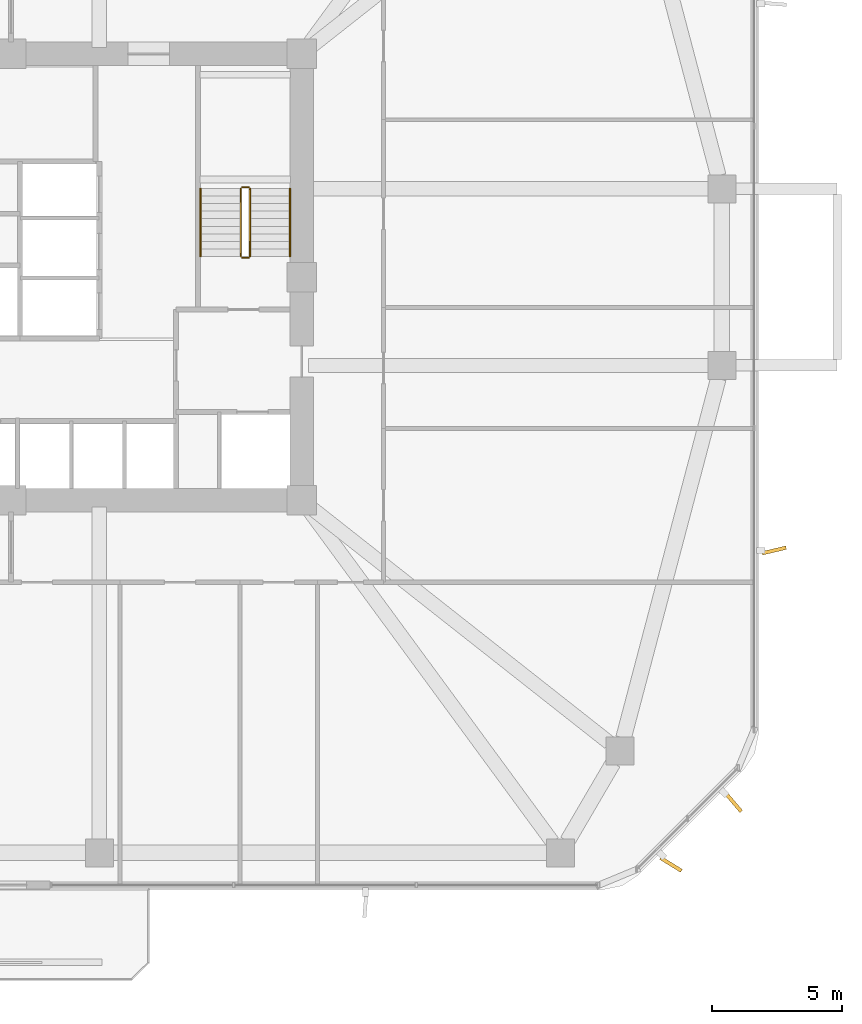
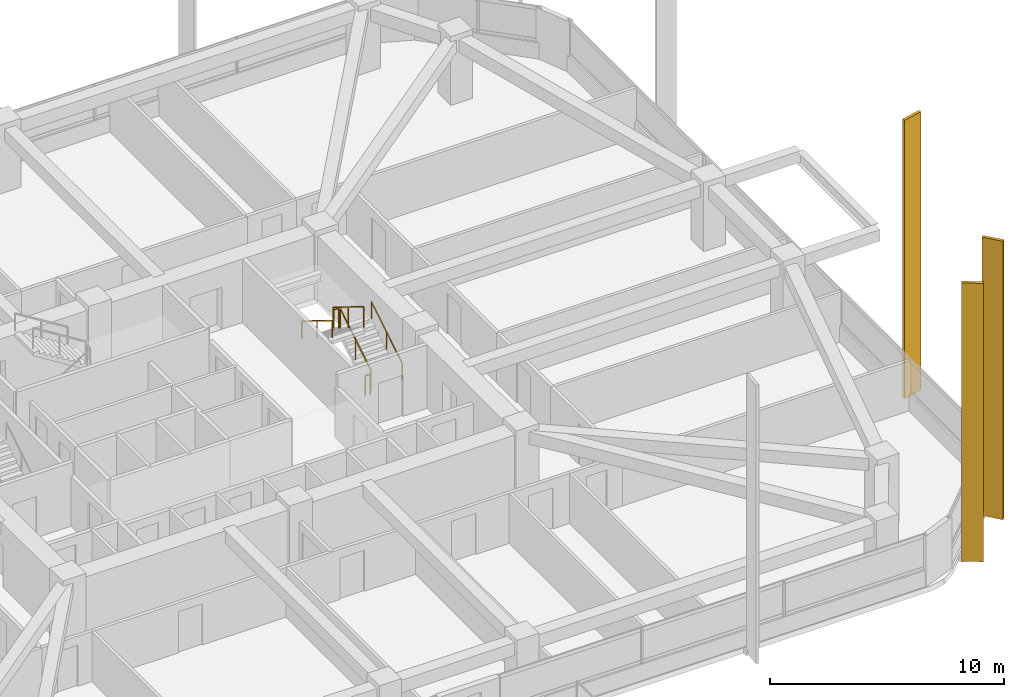
# One storey, part 15 of 17: 6 railings, 3 shading devices.
"""IFC4 building model written with IfcOpenShell, lengths in metres."""

from ifc_helpers import new_model, si_unit, derived_unit, direction, frame, origin, origin_2d, place, context, subcontext, project, spatial, rectangle, extrude, material, type_object, element, save


model = new_model("IFC4")

# Units and contexts
model_context = context("Model", 3, precision=1e-05, world=origin(), true_north=direction((0.0, 1.0)))
body_context = subcontext(model_context, "Body", "Model", "MODEL_VIEW")
ifc_project = project(units=[si_unit("LENGTHUNIT", "METRE"), si_unit("AREAUNIT", "SQUARE_METRE"), si_unit("VOLUMEUNIT", "CUBIC_METRE"), si_unit("PLANEANGLEUNIT", "RADIAN"), si_unit("MASSUNIT", "GRAM", prefix="KILO"), derived_unit("THERMALTRANSMITTANCEUNIT", [(si_unit("POWERUNIT", "WATT"), 1), (si_unit("LENGTHUNIT", "METRE"), -2), (si_unit("THERMODYNAMICTEMPERATUREUNIT", "KELVIN"), -1)])], contexts=[model_context])

# Site, building, storey
site_placement = place(None, origin())
site = spatial("IfcSite", under=ifc_project, at=site_placement, CompositionType="ELEMENT")
building_placement = place(site_placement, origin())
building = spatial("IfcBuilding", under=site, at=building_placement, Name="Koralith Skygarden Medical Center", CompositionType="ELEMENT")
storey_placement = place(building_placement, frame((0.0, 0.0, 38.340087890625)))
storey = spatial("IfcBuildingStorey", under=building, at=storey_placement, Name="L09", CompositionType="ELEMENT", Elevation=38.340087890625)

# Shading devices
ifc_material_1 = material(Name="Aluminium 6063-T6", Category="aluminium")
shading_device_type = type_object("IfcShadingDeviceType", Name="Limestone-Clad Solar Storm Fin 950", PredefinedType="USERDEFINED", material=ifc_material_1)
for number, where, z_axis, x_axis, name in (
    (1, (62.422119140625, 3.280029296875, -0.2001953125), (0.0, 0.0, 1.0), (0.850379776327, -0.526169398592, 0.0), "L09 SE Harmonic Solar Storm Fin 1"),
    (2, (64.820068359375, 5.677978515625, -0.2001953125), (0.0, 0.0, 1.0), (0.649421504759, -0.76042863515, 0.0), "L09 SE Harmonic Solar Storm Fin 2"),
    (3, (66.39501953125, 15.3701171875, -0.2001953125), (0.0, 0.0, 1.0), (0.973367256222, 0.229251356627, 0.0), "L09 E Harmonic Solar Storm Fin 1"),
):
    element("IfcShadingDevice", number, at=place(storey_placement, frame(where, z_axis=z_axis, x_axis=x_axis)), inside=storey, type_object=shading_device_type, Name=name, ObjectType="SOLAR FIN", PredefinedType="USERDEFINED", context=body_context, shape_type="SweptSolid", body=[
        extrude(rectangle(XDim=0.949951171875, YDim=0.139892578125, at=origin_2d()), origin(), (0.0, 0.0, 1.0), 14.550048828125),
    ])

# Railings
ifc_material_2 = material(Name="Steel ASTM A500 Grade C", Category="steel")
railing_type_1 = type_object("IfcRailingType", Name="Stair Flight Tubular Handrail 920", PredefinedType="HANDRAIL", material=ifc_material_2)
railing_1_placement = place(storey_placement, frame((47.75, 26.699951171875, 0.179931640625)))
element("IfcRailing", 4, at=railing_1_placement, inside=storey, type_object=railing_type_1, Name="L09 ST2 stair handrail 1", PredefinedType="HANDRAIL", context=body_context, shape_type="SweptSolid", body=[
    extrude(rectangle(XDim=0.050048828125, YDim=0.050048828125, at=origin_2d()), frame((0.0, 0.001708984375, 0.89599609375), z_axis=(0.0, 0.849668407637, 0.527317358963), x_axis=(-1.0, 0.0, 0.0)), (0.0, 0.0, 1.0), 3.06787109375),
    extrude(rectangle(XDim=0.0419921875, YDim=0.0419921875, at=origin_2d()), origin(), (0.0, 0.0, 1.0), 0.867919921875),
    extrude(rectangle(XDim=0.0419921875, YDim=0.0419921875, at=origin_2d()), frame((0.0, 1.30517578125, 0.81005859375)), (0.0, 0.0, 1.0), 0.867919921875),
    extrude(rectangle(XDim=0.0419921875, YDim=0.0419921875, at=origin_2d()), frame((0.0, 2.610107421875, 1.619873046875)), (0.0, 0.0, 1.0), 0.867919921875),
])
railing_2_placement = place(storey_placement, frame((44.300048828125, 29.31005859375, 1.97998046875)))
element("IfcRailing", 5, at=railing_2_placement, inside=storey, type_object=railing_type_1, Name="L09 ST2 stair handrail 2", PredefinedType="HANDRAIL", context=body_context, shape_type="SweptSolid", body=[
    extrude(rectangle(XDim=0.050048828125, YDim=0.050048828125, at=origin_2d()), frame((0.0, -0.001708984375, 0.89599609375), z_axis=(0.0, -0.849668407637, 0.527317358963), x_axis=(1.0, 0.0, 0.0)), (0.0, 0.0, 1.0), 3.06787109375),
    extrude(rectangle(XDim=0.0419921875, YDim=0.0419921875, at=origin_2d()), origin(), (0.0, 0.0, 1.0), 0.867919921875),
    extrude(rectangle(XDim=0.0419921875, YDim=0.0419921875, at=origin_2d()), frame((0.0, -1.30517578125, 0.81005859375)), (0.0, 0.0, 1.0), 0.867919921875),
    extrude(rectangle(XDim=0.0419921875, YDim=0.0419921875, at=origin_2d()), frame((0.0, -2.610107421875, 1.619873046875)), (0.0, 0.0, 1.0), 0.867919921875),
])
railing_type_2 = type_object("IfcRailingType", Name="Stair Well Safety Guardrail 1100", PredefinedType="GUARDRAIL", material=ifc_material_2)
railing_3_placement = place(storey_placement, frame((46.199951171875, 26.699951171875, 0.179931640625)))
element("IfcRailing", 6, at=railing_3_placement, inside=storey, type_object=railing_type_2, Name="L09 ST2 stair guard 1", PredefinedType="GUARDRAIL", context=body_context, shape_type="SweptSolid", body=[
    extrude(rectangle(XDim=0.050048828125, YDim=0.050048828125, at=origin_2d()), frame((0.0, 0.001708984375, 1.076171875), z_axis=(0.0, 0.849668407637, 0.527317358963), x_axis=(-1.0, 0.0, 0.0)), (0.0, 0.0, 1.0), 3.06787109375),
    extrude(rectangle(XDim=0.0419921875, YDim=0.0419921875, at=origin_2d()), origin(), (0.0, 0.0, 1.0), 1.048095703125),
    extrude(rectangle(XDim=0.0419921875, YDim=0.0419921875, at=origin_2d()), frame((0.0, 1.30517578125, 0.81005859375)), (0.0, 0.0, 1.0), 1.048095703125),
    extrude(rectangle(XDim=0.0419921875, YDim=0.0419921875, at=origin_2d()), frame((0.0, 2.610107421875, 1.619873046875)), (0.0, 0.0, 1.0), 1.048095703125),
])
railing_4_placement = place(storey_placement, frame((46.14990234375, 29.360107421875, 1.7998046875)))
element("IfcRailing", 7, at=railing_4_placement, inside=storey, type_object=railing_type_2, Name="L09 ST2 stair guard 2", PredefinedType="GUARDRAIL", context=body_context, shape_type="SweptSolid", body=[
    extrude(rectangle(XDim=0.050048828125, YDim=0.050048828125, at=origin_2d()), frame((-0.001953125, 0.0, 1.0751953125), z_axis=(-1.0, 0.0, 0.0), x_axis=(0.0, -1.0, 0.0)), (0.0, 0.0, 1.0), 0.24609375),
    extrude(rectangle(XDim=0.0419921875, YDim=0.0419921875, at=origin_2d()), origin(), (0.0, 0.0, 1.0), 1.048095703125),
    extrude(rectangle(XDim=0.0419921875, YDim=0.0419921875, at=origin_2d()), frame((-0.25, 0.0, 0.0)), (0.0, 0.0, 1.0), 1.048095703125),
])
railing_5_placement = place(storey_placement, frame((45.85009765625, 29.31005859375, 1.97998046875)))
element("IfcRailing", 8, at=railing_5_placement, inside=storey, type_object=railing_type_2, Name="L09 ST2 stair guard 3", PredefinedType="GUARDRAIL", context=body_context, shape_type="SweptSolid", body=[
    extrude(rectangle(XDim=0.050048828125, YDim=0.050048828125, at=origin_2d()), frame((0.0, -0.001708984375, 1.076171875), z_axis=(0.0, -0.849668407637, 0.527317358963), x_axis=(1.0, 0.0, 0.0)), (0.0, 0.0, 1.0), 3.06787109375),
    extrude(rectangle(XDim=0.0419921875, YDim=0.0419921875, at=origin_2d()), origin(), (0.0, 0.0, 1.0), 1.048095703125),
    extrude(rectangle(XDim=0.0419921875, YDim=0.0419921875, at=origin_2d()), frame((0.0, -1.30517578125, 0.81005859375)), (0.0, 0.0, 1.0), 1.048095703125),
    extrude(rectangle(XDim=0.0419921875, YDim=0.0419921875, at=origin_2d()), frame((0.0, -2.610107421875, 1.619873046875)), (0.0, 0.0, 1.0), 1.048095703125),
])
railing_6_placement = place(storey_placement, frame((46.14990234375, 26.64990234375, 0.0)))
element("IfcRailing", 9, at=railing_6_placement, inside=storey, type_object=railing_type_2, Name="L09 ST2 stair guard 4", PredefinedType="GUARDRAIL", context=body_context, shape_type="SweptSolid", body=[
    extrude(rectangle(XDim=0.050048828125, YDim=0.050048828125, at=origin_2d()), frame((-0.001953125, 0.0, 1.0751953125), z_axis=(-1.0, 0.0, 0.0), x_axis=(0.0, -1.0, 0.0)), (0.0, 0.0, 1.0), 0.24609375),
    extrude(rectangle(XDim=0.0419921875, YDim=0.0419921875, at=origin_2d()), origin(), (0.0, 0.0, 1.0), 1.048095703125),
    extrude(rectangle(XDim=0.0419921875, YDim=0.0419921875, at=origin_2d()), frame((-0.25, 0.0, 0.0)), (0.0, 0.0, 1.0), 1.048095703125),
])

save(model, "model.ifc")
